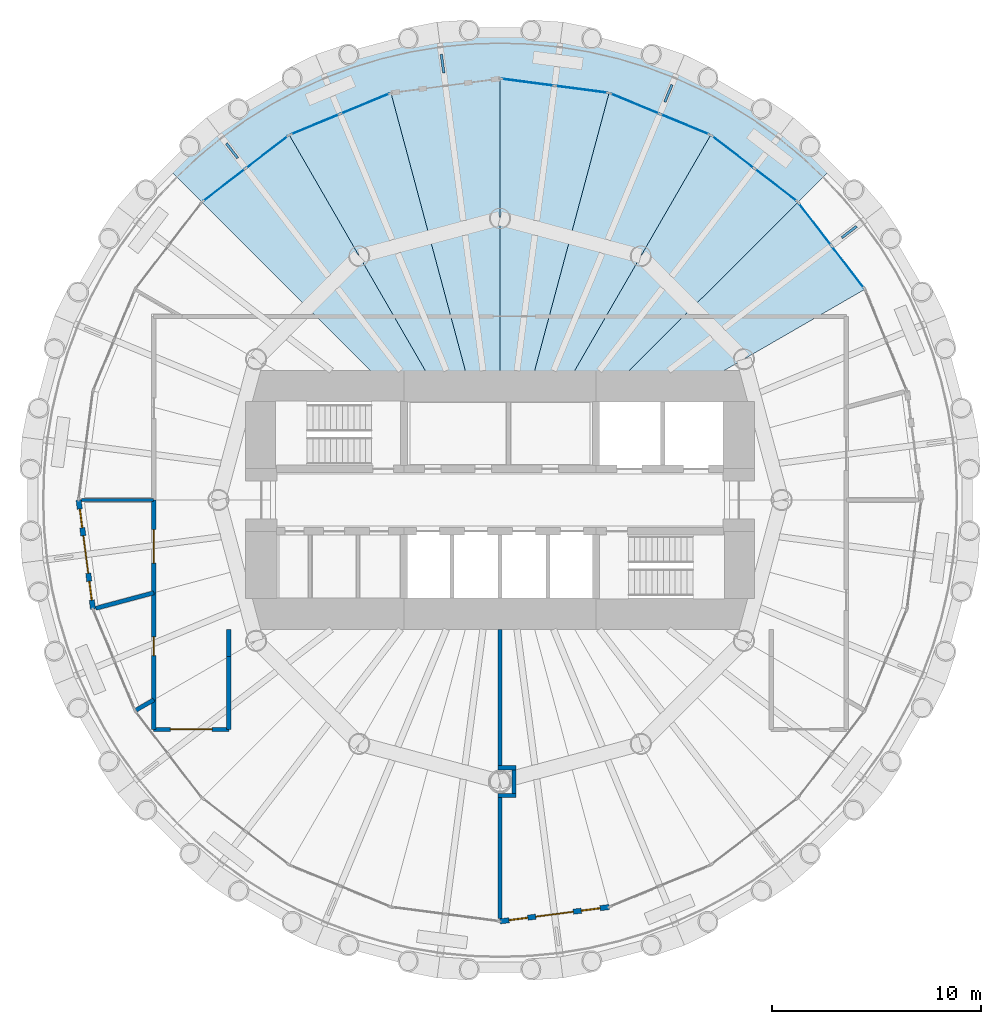
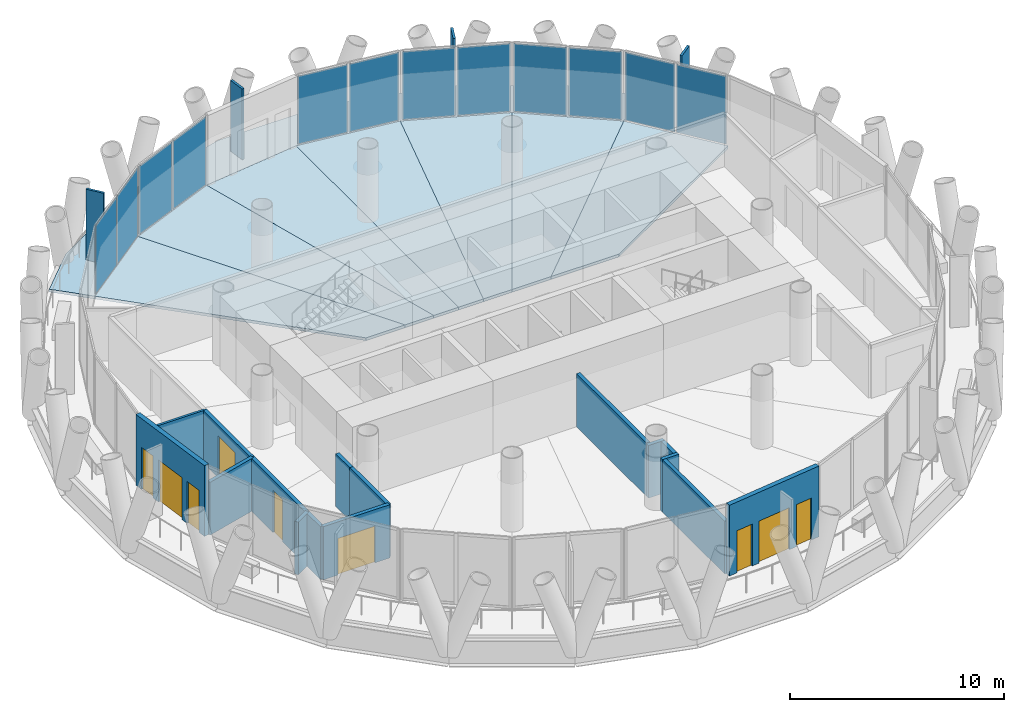
# One storey, part 8 of 13: 16 plates, 16 walls, 8 slabs, 5 doors, 4 windows, 9 openings, 6 elements without a shape of their own.
"""IFC4 building model written with IfcOpenShell, lengths in metres."""

from ifc_helpers import new_model, si_unit, direction, frame, frame_2d, origin, origin_2d, place, context, subcontext, project, spatial, polyline, rectangle, outline, extrude, material, layer, layer_set, type_object, element, fill, aggregate, save


model = new_model("IFC4")

# Units and contexts
model_context = context("Model", 3, precision=1e-05, world=origin(), true_north=direction((0.0, 1.0)))
body_context = subcontext(model_context, "Body", "Model", "MODEL_VIEW")
ifc_project = project(units=[si_unit("LENGTHUNIT", "METRE"), si_unit("AREAUNIT", "SQUARE_METRE"), si_unit("VOLUMEUNIT", "CUBIC_METRE"), si_unit("PLANEANGLEUNIT", "RADIAN"), si_unit("MASSUNIT", "GRAM", prefix="KILO")], contexts=[model_context])

# Site, building, storey
site_placement = place(None, origin())
site = spatial("IfcSite", under=ifc_project, at=site_placement, CompositionType="ELEMENT")
building_placement = place(site_placement, origin())
building = spatial("IfcBuilding", under=site, at=building_placement, Name="Qaws Media Tower", CompositionType="ELEMENT")
storey_placement = place(building_placement, frame((0.0, 0.0, 219.199951171875)))
storey = spatial("IfcBuildingStorey", under=building, at=storey_placement, Name="L50", CompositionType="ELEMENT", Elevation=219.199951171875)

# Slabs
ifc_material_1 = material(Name="Concrete C35/45", Category="concrete")
ifc_layer_1 = layer(ifc_material_1, 0.159912109375)
ifc_layer_set_1 = layer_set([ifc_layer_1], Name="Composite balcony slab 160")
slab_type_1 = type_object("IfcSlabType", Name="Composite balcony slab 160", PredefinedType="FLOOR", material=ifc_layer_set_1)
slab_1_placement = place(storey_placement, frame((0.0, 0.0, -0.159912109375)))
element("IfcSlab", 1, at=slab_1_placement, inside=storey, type_object=slab_type_1, Name="S2 balcony slab L50 R04 to R10, movement joints on R04 and R10", PredefinedType="FLOOR", context=body_context, shape_type="SweptSolid", body=[
    extrude(outline(polyline([(46.241943359375, 67.9296875), (51.351318359375, 70.879638671875), (57.050048828125, 72.40673828125), (62.949951171875, 72.40673828125), (68.648681640625, 70.879638671875), (73.758056640625, 67.9296875), (75.843994140625, 65.843994140625), (74.28369140625, 64.28369140625), (70.10009765625, 67.49365234375), (65.22802734375, 69.51171875), (60.0, 70.199951171875), (54.77197265625, 69.51171875), (49.89990234375, 67.49365234375), (45.71630859375, 64.28369140625), (44.156005859375, 65.843994140625), (46.241943359375, 67.9296875)])), origin(), (0.0, 0.0, 1.0), 0.159912109375),
])
ifc_material_2 = material(Name="Concrete C35/45", Category="concrete")
ifc_layer_2 = layer(ifc_material_2, 0.159912109375)
ifc_layer_set_2 = layer_set([ifc_layer_2], Name="Composite floor slab 160")
slab_type_2 = type_object("IfcSlabType", Name="Composite floor slab 160", PredefinedType="FLOOR", material=ifc_layer_set_2)
slab_2_placement = place(storey_placement, frame((0.0, 0.0, -0.159912109375)))
element("IfcSlab", 2, at=slab_2_placement, inside=storey, type_object=slab_type_2, Name="S1 floor panel L50 on R03+7.5", PredefinedType="FLOOR", context=body_context, shape_type="SweptSolid", body=[
    extrude(outline(polyline([(77.49365234375, 60.10009765625), (68.660400390625, 55.0), (65.0, 55.0), (74.28369140625, 64.28369140625), (77.49365234375, 60.10009765625)])), origin(), (0.0, 0.0, 1.0), 0.159912109375),
])
slab_3_placement = place(storey_placement, frame((0.0, 0.0, -0.159912109375)))
element("IfcSlab", 3, at=slab_3_placement, inside=storey, type_object=slab_type_2, Name="S1 floor panel L50 on R04+7.5", PredefinedType="FLOOR", context=body_context, shape_type="SweptSolid", body=[
    extrude(outline(polyline([(70.10009765625, 67.49365234375), (74.28369140625, 64.28369140625), (65.0, 55.0), (62.88671875, 55.0), (70.10009765625, 67.49365234375)])), origin(), (0.0, 0.0, 1.0), 0.159912109375),
])
slab_4_placement = place(storey_placement, frame((0.0, 0.0, -0.159912109375)))
element("IfcSlab", 4, at=slab_4_placement, inside=storey, type_object=slab_type_2, Name="S1 floor panel L50 on R05+7.5", PredefinedType="FLOOR", context=body_context, shape_type="SweptSolid", body=[
    extrude(outline(polyline([(65.22802734375, 69.51171875), (70.10009765625, 67.49365234375), (62.88671875, 55.0), (61.339599609375, 55.0), (65.22802734375, 69.51171875)])), origin(), (0.0, 0.0, 1.0), 0.159912109375),
])
slab_5_placement = place(storey_placement, frame((0.0, 0.0, -0.159912109375)))
element("IfcSlab", 5, at=slab_5_placement, inside=storey, type_object=slab_type_2, Name="S1 floor panel L50 on R06+7.5", PredefinedType="FLOOR", context=body_context, shape_type="SweptSolid", body=[
    extrude(outline(polyline([(65.22802734375, 69.51171875), (61.339599609375, 55.0), (60.0, 55.0), (60.0, 70.199951171875), (65.22802734375, 69.51171875)])), origin(), (0.0, 0.0, 1.0), 0.159912109375),
])
slab_6_placement = place(storey_placement, frame((0.0, 0.0, -0.159912109375)))
element("IfcSlab", 6, at=slab_6_placement, inside=storey, type_object=slab_type_2, Name="S1 floor panel L50 on R07+7.5", PredefinedType="FLOOR", context=body_context, shape_type="SweptSolid", body=[
    extrude(outline(polyline([(60.0, 70.199951171875), (60.0, 55.0), (58.660400390625, 55.0), (54.77197265625, 69.51171875), (60.0, 70.199951171875)])), origin(), (0.0, 0.0, 1.0), 0.159912109375),
])
slab_7_placement = place(storey_placement, frame((0.0, 0.0, -0.159912109375)))
element("IfcSlab", 7, at=slab_7_placement, inside=storey, type_object=slab_type_2, Name="S1 floor panel L50 on R08+7.5", PredefinedType="FLOOR", context=body_context, shape_type="SweptSolid", body=[
    extrude(outline(polyline([(49.89990234375, 67.49365234375), (54.77197265625, 69.51171875), (58.660400390625, 55.0), (57.11328125, 55.0), (49.89990234375, 67.49365234375)])), origin(), (0.0, 0.0, 1.0), 0.159912109375),
])
slab_8_placement = place(storey_placement, frame((0.0, 0.0, -0.159912109375)))
element("IfcSlab", 8, at=slab_8_placement, inside=storey, type_object=slab_type_2, Name="S1 floor panel L50 on R09+7.5", PredefinedType="FLOOR", context=body_context, shape_type="SweptSolid", body=[
    extrude(outline(polyline([(45.71630859375, 64.28369140625), (49.89990234375, 67.49365234375), (57.11328125, 55.0), (55.0, 55.0), (45.71630859375, 64.28369140625)])), origin(), (0.0, 0.0, 1.0), 0.159912109375),
])

# Curtain wall, plates
ifc_material_3 = material(Name="Aluminium and clear glass", Category="aluminium")
curtain_wall_type = type_object("IfcCurtainWallType", Name="Unitised curtain wall CW-C", PredefinedType="NOTDEFINED", material=ifc_material_3)
curtain_wall_1_placement = place(storey_placement, origin())
curtain_wall_1 = element("IfcCurtainWall", 9, at=curtain_wall_1_placement, inside=storey, type_object=curtain_wall_type, Name="CWC curtain wall L50-03", PredefinedType="NOTDEFINED")
ifc_material_4 = material(Name="Clear laminated double glazing", Category="glass")
ifc_layer_3 = layer(ifc_material_4, 0.031982421875)
ifc_layer_set_3 = layer_set([ifc_layer_3], Name="Curtain wall glass unit 32")
plate_type_1 = type_object("IfcPlateType", Name="Curtain wall glass unit 32", PredefinedType="CURTAIN_PANEL", material=ifc_layer_set_3)
plate_1_placement = place(storey_placement, frame((76.678955078125, 61.161865234375, 0.080078125), z_axis=(0.0, 0.0, 1.0), x_axis=(-0.608761406106, 0.793353357865, 0.0)))
plate_1 = element("IfcPlate", 10, at=plate_1_placement, type_object=plate_type_1, Name="CWC panel 1.1", PredefinedType="CURTAIN_PANEL", context=body_context, shape_type="SweptSolid", body=[
    extrude(rectangle(XDim=2.5166015625, YDim=0.031982421875, at=origin_2d()), origin(), (0.0, 0.0, 1.0), 3.8798828125),
])
plate_2_placement = place(storey_placement, frame((75.098388671875, 63.2216796875, 0.080078125), z_axis=(0.0, 0.0, 1.0), x_axis=(-0.608761406106, 0.793353357865, 0.0)))
plate_2 = element("IfcPlate", 11, at=plate_2_placement, type_object=plate_type_1, Name="CWC panel 2.1", PredefinedType="CURTAIN_PANEL", context=body_context, shape_type="SweptSolid", body=[
    extrude(rectangle(XDim=2.5166015625, YDim=0.031982421875, at=origin_2d()), origin(), (0.0, 0.0, 1.0), 3.8798828125),
])
aggregate(curtain_wall_1, [plate_1, plate_2])

curtain_wall_2_placement = place(storey_placement, origin())
curtain_wall_2 = element("IfcCurtainWall", 12, at=curtain_wall_2_placement, inside=storey, type_object=curtain_wall_type, Name="CWC curtain wall L50-04", PredefinedType="NOTDEFINED")
plate_3_placement = place(storey_placement, frame((73.2216796875, 65.098388671875, 0.080078125), z_axis=(0.0, 0.0, 1.0), x_axis=(-0.793353357865, 0.608761406106, 0.0)))
plate_3 = element("IfcPlate", 13, at=plate_3_placement, type_object=plate_type_1, Name="CWC panel 1.1", PredefinedType="CURTAIN_PANEL", context=body_context, shape_type="SweptSolid", body=[
    extrude(rectangle(XDim=2.5166015625, YDim=0.031982421875, at=origin_2d()), origin(), (0.0, 0.0, 1.0), 3.8798828125),
])
plate_4_placement = place(storey_placement, frame((71.161865234375, 66.678955078125, 0.080078125), z_axis=(0.0, 0.0, 1.0), x_axis=(-0.793353357865, 0.608761406106, 0.0)))
plate_4 = element("IfcPlate", 14, at=plate_4_placement, type_object=plate_type_1, Name="CWC panel 2.1", PredefinedType="CURTAIN_PANEL", context=body_context, shape_type="SweptSolid", body=[
    extrude(rectangle(XDim=2.5166015625, YDim=0.031982421875, at=origin_2d()), origin(), (0.0, 0.0, 1.0), 3.8798828125),
])
aggregate(curtain_wall_2, [plate_3, plate_4])

curtain_wall_3_placement = place(storey_placement, origin())
curtain_wall_3 = element("IfcCurtainWall", 15, at=curtain_wall_3_placement, inside=storey, type_object=curtain_wall_type, Name="CWC curtain wall L50-05", PredefinedType="NOTDEFINED")
plate_5_placement = place(storey_placement, frame((68.863525390625, 68.005859375, 0.080078125), z_axis=(0.0, 0.0, 1.0), x_axis=(-0.923879493285, 0.382683527066, 0.0)))
plate_5 = element("IfcPlate", 16, at=plate_5_placement, type_object=plate_type_1, Name="CWC panel 1.1", PredefinedType="CURTAIN_PANEL", context=body_context, shape_type="SweptSolid", body=[
    extrude(rectangle(XDim=2.5166015625, YDim=0.031982421875, at=origin_2d()), origin(), (0.0, 0.0, 1.0), 3.8798828125),
])
plate_6_placement = place(storey_placement, frame((66.464599609375, 68.99951171875, 0.080078125), z_axis=(0.0, 0.0, 1.0), x_axis=(-0.923879493285, 0.382683527066, 0.0)))
plate_6 = element("IfcPlate", 17, at=plate_6_placement, type_object=plate_type_1, Name="CWC panel 2.1", PredefinedType="CURTAIN_PANEL", context=body_context, shape_type="SweptSolid", body=[
    extrude(rectangle(XDim=2.5166015625, YDim=0.031982421875, at=origin_2d()), origin(), (0.0, 0.0, 1.0), 3.8798828125),
])
aggregate(curtain_wall_3, [plate_5, plate_6])

curtain_wall_4_placement = place(storey_placement, origin())
curtain_wall_4 = element("IfcCurtainWall", 18, at=curtain_wall_4_placement, inside=storey, type_object=curtain_wall_type, Name="CWC curtain wall L50-06", PredefinedType="NOTDEFINED")
plate_7_placement = place(storey_placement, frame((63.9013671875, 69.686279296875, 0.080078125), z_axis=(0.0, 0.0, 1.0), x_axis=(-0.991444869889, 0.130526127538, 0.0)))
plate_7 = element("IfcPlate", 19, at=plate_7_placement, type_object=plate_type_1, Name="CWC panel 1.1", PredefinedType="CURTAIN_PANEL", context=body_context, shape_type="SweptSolid", body=[
    extrude(rectangle(XDim=2.5166015625, YDim=0.031982421875, at=origin_2d()), origin(), (0.0, 0.0, 1.0), 3.8798828125),
])
plate_8_placement = place(storey_placement, frame((61.326904296875, 70.025390625, 0.080078125), z_axis=(0.0, 0.0, 1.0), x_axis=(-0.991444869889, 0.130526127538, 0.0)))
plate_8 = element("IfcPlate", 20, at=plate_8_placement, type_object=plate_type_1, Name="CWC panel 2.1", PredefinedType="CURTAIN_PANEL", context=body_context, shape_type="SweptSolid", body=[
    extrude(rectangle(XDim=2.5166015625, YDim=0.031982421875, at=origin_2d()), origin(), (0.0, 0.0, 1.0), 3.8798828125),
])
aggregate(curtain_wall_4, [plate_7, plate_8])

curtain_wall_5_placement = place(storey_placement, origin())
curtain_wall_5 = element("IfcCurtainWall", 21, at=curtain_wall_5_placement, inside=storey, type_object=curtain_wall_type, Name="CWC curtain wall L50-08", PredefinedType="NOTDEFINED")
plate_9_placement = place(storey_placement, frame((53.535400390625, 68.99951171875, 0.080078125), z_axis=(0.0, 0.0, 1.0), x_axis=(-0.923879493285, -0.382683527066, 0.0)))
plate_9 = element("IfcPlate", 22, at=plate_9_placement, type_object=plate_type_1, Name="CWC panel 1.1", PredefinedType="CURTAIN_PANEL", context=body_context, shape_type="SweptSolid", body=[
    extrude(rectangle(XDim=2.5166015625, YDim=0.031982421875, at=origin_2d()), origin(), (0.0, 0.0, 1.0), 3.8798828125),
])
plate_10_placement = place(storey_placement, frame((51.136474609375, 68.005859375, 0.080078125), z_axis=(0.0, 0.0, 1.0), x_axis=(-0.923879493285, -0.382683527066, 0.0)))
plate_10 = element("IfcPlate", 23, at=plate_10_placement, type_object=plate_type_1, Name="CWC panel 2.1", PredefinedType="CURTAIN_PANEL", context=body_context, shape_type="SweptSolid", body=[
    extrude(rectangle(XDim=2.5166015625, YDim=0.031982421875, at=origin_2d()), origin(), (0.0, 0.0, 1.0), 3.8798828125),
])
aggregate(curtain_wall_5, [plate_9, plate_10])

curtain_wall_6_placement = place(storey_placement, origin())
curtain_wall_6 = element("IfcCurtainWall", 24, at=curtain_wall_6_placement, inside=storey, type_object=curtain_wall_type, Name="CWC curtain wall L50-09", PredefinedType="NOTDEFINED")
plate_11_placement = place(storey_placement, frame((48.838134765625, 66.678955078125, 0.080078125), z_axis=(0.0, 0.0, 1.0), x_axis=(-0.793353357865, -0.608761406106, 0.0)))
plate_11 = element("IfcPlate", 25, at=plate_11_placement, type_object=plate_type_1, Name="CWC panel 1.1", PredefinedType="CURTAIN_PANEL", context=body_context, shape_type="SweptSolid", body=[
    extrude(rectangle(XDim=2.5166015625, YDim=0.031982421875, at=origin_2d()), origin(), (0.0, 0.0, 1.0), 3.8798828125),
])
plate_12_placement = place(storey_placement, frame((46.7783203125, 65.098388671875, 0.080078125), z_axis=(0.0, 0.0, 1.0), x_axis=(-0.793353357865, -0.608761406106, 0.0)))
plate_12 = element("IfcPlate", 26, at=plate_12_placement, type_object=plate_type_1, Name="CWC panel 2.1", PredefinedType="CURTAIN_PANEL", context=body_context, shape_type="SweptSolid", body=[
    extrude(rectangle(XDim=2.5166015625, YDim=0.031982421875, at=origin_2d()), origin(), (0.0, 0.0, 1.0), 3.8798828125),
])
aggregate(curtain_wall_6, [plate_11, plate_12])

# Plates
ifc_material_5 = material(Name="Precast concrete screen fin", Category="concrete")
ifc_layer_4 = layer(ifc_material_5, 0.1201171875)
ifc_layer_set_4 = layer_set([ifc_layer_4], Name="Screen fin 120x900")
plate_type_2 = type_object("IfcPlateType", Name="Screen fin 120x900", PredefinedType="USERDEFINED", material=ifc_layer_set_4)
for number, where, z_axis, x_axis, name in (
    (27, (76.73974609375, 62.844970703125, 0.0), (0.0, 0.0, 1.0), (0.793353340291, 0.608761429009, 0.0), "SCR1 screen fin L50-02"),
    (28, (68.07470703125, 69.493896484375, 0.0), (0.0, 0.0, 1.0), (0.382683432365, 0.923879532511, 0.0), "SCR1 screen fin L50-03"),
    (29, (57.245849609375, 70.91943359375, 0.0), (0.0, 0.0, 1.0), (-0.13052619222, 0.991444861374, 0.0), "SCR1 screen fin L50-04"),
    (30, (47.155029296875, 66.73974609375, 0.0), (0.0, 0.0, 1.0), (-0.608761429009, 0.793353340291, 0.0), "SCR1 screen fin L50-05"),
):
    element("IfcPlate", number, at=place(storey_placement, frame(where, z_axis=z_axis, x_axis=x_axis)), inside=storey, type_object=plate_type_2, Name=name, ObjectType="SCREEN", PredefinedType="USERDEFINED", context=body_context, shape_type="SweptSolid", body=[
        extrude(rectangle(XDim=0.89990234375, YDim=0.1201171875, at=origin_2d()), origin(), (0.0, 0.0, 1.0), 4.0400390625),
    ])

# Wall, openings, door, windows
ifc_material_6 = material(Name="Precast concrete, exposed finish", Category="concrete")
ifc_layer_5 = layer(ifc_material_6, 0.25)
ifc_layer_set_5 = layer_set([ifc_layer_5], Name="Balcony door wall 250")
wall_type_1 = type_object("IfcWallType", Name="Balcony door wall 250", PredefinedType="SOLIDWALL", material=ifc_layer_set_5)
wall_1_placement = place(storey_placement, frame((39.800048828125, 50.0, 0.0), z_axis=(0.0, 0.0, 1.0), x_axis=(0.130516790572, -0.991446099079, 0.0)))
wall_1 = element("IfcWall", 31, at=wall_1_placement, inside=storey, type_object=wall_type_1, Name="W236 EW1 balcony door wall L50-13", PredefinedType="SOLIDWALL", context=body_context, shape_type="SweptSolid", body=[
    extrude(rectangle(XDim=5.273193359375, YDim=0.25, at=frame_2d((2.63671875, 0.0))), origin(), (0.0, 0.0, 1.0), 4.0400390625),
])
opening_1_placement = place(wall_1_placement, frame((1.736572265625, 0.0, 0.0)))
opening_1 = element("IfcOpeningElement", 32, at=opening_1_placement, cuts=wall_1, Name="Opening D7", PredefinedType="OPENING", context=body_context, shape_type="SweptSolid", body=[
    extrude(rectangle(XDim=1.800048828125, YDim=2.39990234375, at=frame_2d((0.89990234375, 1.199951171875))), frame((0.0, 0.135009765625, 0.0), z_axis=(0.0, -1.0, 0.0), x_axis=(1.0, 0.0, 0.0)), (0.0, 0.0, 1.0), 0.27001953125),
])
opening_2_placement = place(wall_1_placement, frame((0.4365234375, 0.0, 0.0)))
opening_2 = element("IfcOpeningElement", 33, at=opening_2_placement, cuts=wall_1, Name="Opening W7", PredefinedType="OPENING", context=body_context, shape_type="SweptSolid", body=[
    extrude(rectangle(XDim=0.89990234375, YDim=2.39990234375, at=frame_2d((0.449951171875, 1.199951171875))), frame((0.0, 0.135009765625, 0.0), z_axis=(0.0, -1.0, 0.0), x_axis=(1.0, 0.0, 0.0)), (0.0, 0.0, 1.0), 0.27001953125),
])
opening_3_placement = place(wall_1_placement, frame((3.9365234375, 0.0, 0.0)))
opening_3 = element("IfcOpeningElement", 34, at=opening_3_placement, cuts=wall_1, Name="Opening W7", PredefinedType="OPENING", context=body_context, shape_type="SweptSolid", body=[
    extrude(rectangle(XDim=0.89990234375, YDim=2.39990234375, at=frame_2d((0.449951171875, 1.199951171875))), frame((0.0, 0.135009765625, 0.0), z_axis=(0.0, -1.0, 0.0), x_axis=(1.0, 0.0, 0.0)), (0.0, 0.0, 1.0), 0.27001953125),
])
ifc_material_7 = material(Name="Aluminium and clear glass", Category="aluminium")
door_type_1 = type_object("IfcDoorType", Name="Balcony door pair 1800", OperationType="DOUBLE_DOOR_SLIDING", PredefinedType="DOOR", material=ifc_material_7)
door_1_placement = place(opening_1_placement, origin())
door_1 = element("IfcDoor", 35, at=door_1_placement, inside=storey, type_object=door_type_1, Name="D7 balcony door L50-13 in wall W236", OperationType="DOUBLE_DOOR_SLIDING", OverallHeight=2.39990234375, OverallWidth=1.800048828125, PredefinedType="DOOR", context=body_context, shape_type="SweptSolid", body=[
    extrude(rectangle(XDim=1.800048828125, YDim=2.39990234375, at=frame_2d((0.89990234375, 1.199951171875))), frame((0.0, 0.02490234375, 0.0), z_axis=(0.0, -1.0, 0.0), x_axis=(1.0, 0.0, 0.0)), (0.0, 0.0, 1.0), 0.050048828125),
])
fill(opening_1, door_1)
ifc_material_8 = material(Name="Aluminium and clear glass", Category="aluminium")
window_type = type_object("IfcWindowType", Name="Balcony side window 900", PartitioningType="SINGLE_PANEL", PredefinedType="WINDOW", material=ifc_material_8)
window_1_placement = place(opening_2_placement, origin())
window_1 = element("IfcWindow", 36, at=window_1_placement, inside=storey, type_object=window_type, Name="W1 balcony side light L50-13L", OverallHeight=2.39990234375, OverallWidth=0.89990234375, PartitioningType="SINGLE_PANEL", PredefinedType="WINDOW", context=body_context, shape_type="SweptSolid", body=[
    extrude(rectangle(XDim=0.89990234375, YDim=2.39990234375, at=frame_2d((0.449951171875, 1.199951171875))), frame((0.0, 0.030029296875, 0.0), z_axis=(0.0, -1.0, 0.0), x_axis=(1.0, 0.0, 0.0)), (0.0, 0.0, 1.0), 0.06005859375),
])
fill(opening_2, window_1)
window_2_placement = place(opening_3_placement, origin())
window_2 = element("IfcWindow", 37, at=window_2_placement, inside=storey, type_object=window_type, Name="W1 balcony side light L50-13R", OverallHeight=2.39990234375, OverallWidth=0.89990234375, PartitioningType="SINGLE_PANEL", PredefinedType="WINDOW", context=body_context, shape_type="SweptSolid", body=[
    extrude(rectangle(XDim=0.89990234375, YDim=2.39990234375, at=frame_2d((0.449951171875, 1.199951171875))), frame((0.0, 0.030029296875, 0.0), z_axis=(0.0, -1.0, 0.0), x_axis=(1.0, 0.0, 0.0)), (0.0, 0.0, 1.0), 0.06005859375),
])
fill(opening_3, window_2)

wall_2_placement = place(storey_placement, frame((60.0, 29.800048828125, 0.0), z_axis=(0.0, 0.0, 1.0), x_axis=(0.991446099079, 0.130516790572, 0.0)))
wall_2 = element("IfcWall", 38, at=wall_2_placement, inside=storey, type_object=wall_type_1, Name="W237 EW1 balcony door wall L50-19", PredefinedType="SOLIDWALL", context=body_context, shape_type="SweptSolid", body=[
    extrude(rectangle(XDim=5.273193359375, YDim=0.25, at=frame_2d((2.63671875, 0.0))), origin(), (0.0, 0.0, 1.0), 4.0400390625),
])
opening_4_placement = place(wall_2_placement, frame((1.736572265625, 0.0, 0.0)))
opening_4 = element("IfcOpeningElement", 39, at=opening_4_placement, cuts=wall_2, Name="Opening D7", PredefinedType="OPENING", context=body_context, shape_type="SweptSolid", body=[
    extrude(rectangle(XDim=1.800048828125, YDim=2.39990234375, at=frame_2d((0.89990234375, 1.199951171875))), frame((0.0, 0.135009765625, 0.0), z_axis=(0.0, -1.0, 0.0), x_axis=(1.0, 0.0, 0.0)), (0.0, 0.0, 1.0), 0.27001953125),
])
opening_5_placement = place(wall_2_placement, frame((0.4365234375, 0.0, 0.0)))
opening_5 = element("IfcOpeningElement", 40, at=opening_5_placement, cuts=wall_2, Name="Opening W7", PredefinedType="OPENING", context=body_context, shape_type="SweptSolid", body=[
    extrude(rectangle(XDim=0.89990234375, YDim=2.39990234375, at=frame_2d((0.449951171875, 1.199951171875))), frame((0.0, 0.135009765625, 0.0), z_axis=(0.0, -1.0, 0.0), x_axis=(1.0, 0.0, 0.0)), (0.0, 0.0, 1.0), 0.27001953125),
])
opening_6_placement = place(wall_2_placement, frame((3.9365234375, 0.0, 0.0)))
opening_6 = element("IfcOpeningElement", 41, at=opening_6_placement, cuts=wall_2, Name="Opening W7", PredefinedType="OPENING", context=body_context, shape_type="SweptSolid", body=[
    extrude(rectangle(XDim=0.89990234375, YDim=2.39990234375, at=frame_2d((0.449951171875, 1.199951171875))), frame((0.0, 0.135009765625, 0.0), z_axis=(0.0, -1.0, 0.0), x_axis=(1.0, 0.0, 0.0)), (0.0, 0.0, 1.0), 0.27001953125),
])
door_2_placement = place(opening_4_placement, origin())
door_2 = element("IfcDoor", 42, at=door_2_placement, inside=storey, type_object=door_type_1, Name="D7 balcony door L50-19 in wall W237", OperationType="DOUBLE_DOOR_SLIDING", OverallHeight=2.39990234375, OverallWidth=1.800048828125, PredefinedType="DOOR", context=body_context, shape_type="SweptSolid", body=[
    extrude(rectangle(XDim=1.800048828125, YDim=2.39990234375, at=frame_2d((0.89990234375, 1.199951171875))), frame((0.0, 0.02490234375, 0.0), z_axis=(0.0, -1.0, 0.0), x_axis=(1.0, 0.0, 0.0)), (0.0, 0.0, 1.0), 0.050048828125),
])
fill(opening_4, door_2)
window_3_placement = place(opening_5_placement, origin())
window_3 = element("IfcWindow", 43, at=window_3_placement, inside=storey, type_object=window_type, Name="W1 balcony side light L50-19L", OverallHeight=2.39990234375, OverallWidth=0.89990234375, PartitioningType="SINGLE_PANEL", PredefinedType="WINDOW", context=body_context, shape_type="SweptSolid", body=[
    extrude(rectangle(XDim=0.89990234375, YDim=2.39990234375, at=frame_2d((0.449951171875, 1.199951171875))), frame((0.0, 0.030029296875, 0.0), z_axis=(0.0, -1.0, 0.0), x_axis=(1.0, 0.0, 0.0)), (0.0, 0.0, 1.0), 0.06005859375),
])
fill(opening_5, window_3)
window_4_placement = place(opening_6_placement, origin())
window_4 = element("IfcWindow", 44, at=window_4_placement, inside=storey, type_object=window_type, Name="W1 balcony side light L50-19R", OverallHeight=2.39990234375, OverallWidth=0.89990234375, PartitioningType="SINGLE_PANEL", PredefinedType="WINDOW", context=body_context, shape_type="SweptSolid", body=[
    extrude(rectangle(XDim=0.89990234375, YDim=2.39990234375, at=frame_2d((0.449951171875, 1.199951171875))), frame((0.0, 0.030029296875, 0.0), z_axis=(0.0, -1.0, 0.0), x_axis=(1.0, 0.0, 0.0)), (0.0, 0.0, 1.0), 0.06005859375),
])
fill(opening_6, window_4)

# Walls
ifc_material_9 = material(Name="Two layers gypsum board each side on 75 studs, insulated", Category="gypsum")
ifc_layer_6 = layer(ifc_material_9, 0.125)
ifc_layer_set_6 = layer_set([ifc_layer_6], Name="Meeting room partition 125 Rw 48")
wall_type_2 = type_object("IfcWallType", Name="Meeting room partition 125 Rw 48", PredefinedType="PARTITIONING", material=ifc_layer_set_6)
wall_3_placement = place(storey_placement, frame((43.39990234375, 50.0, 0.0), z_axis=(0.0, 0.0, 1.0), x_axis=(-1.0, 0.0, 0.0)))
element("IfcWall", 45, at=wall_3_placement, inside=storey, type_object=wall_type_2, Name="W603 IW5 partition L50", PredefinedType="PARTITIONING", context=body_context, shape_type="SweptSolid", body=[
    extrude(rectangle(XDim=3.4599609375, YDim=0.125, at=frame_2d((1.72998046875, 0.0))), origin(), (0.0, 0.0, 1.0), 3.011962890625),
])
ifc_material_10 = material(Name="Gypsum board on galvanised metal studs, acoustic double stud, deflection head", Category="gypsum")
ifc_layer_7 = layer(ifc_material_10, 0.199951171875)
ifc_layer_set_7 = layer_set([ifc_layer_7], Name="Room partition 200")
wall_type_3 = type_object("IfcWallType", Name="Room partition 200", PredefinedType="PARTITIONING", material=ifc_layer_set_7)
wall_4_placement = place(storey_placement, frame((47.0, 43.800048828125, 0.0), z_axis=(0.0, 0.0, 1.0), x_axis=(0.0, -1.0, 0.0)))
element("IfcWall", 46, at=wall_4_placement, inside=storey, type_object=wall_type_3, Name="W1528 IW3 partition L50", PredefinedType="PARTITIONING", context=body_context, shape_type="SweptSolid", body=[
    extrude(rectangle(XDim=1.3056640625, YDim=0.199951171875, at=frame_2d((0.65283203125, 0.0))), origin(), (0.0, 0.0, 1.0), 3.011962890625),
])
wall_5_placement = place(storey_placement, frame((47.0, 42.494384765625, 0.0), z_axis=(0.0, 0.0, 1.0), x_axis=(0.0, -1.0, 0.0)))
element("IfcWall", 47, at=wall_5_placement, inside=storey, type_object=wall_type_3, Name="W1366 IW3 partition L50", PredefinedType="PARTITIONING", context=body_context, shape_type="SweptSolid", body=[
    extrude(rectangle(XDim=3.494384765625, YDim=0.199951171875, at=frame_2d((1.7470703125, 0.0))), origin(), (0.0, 0.0, 1.0), 3.011962890625),
])

# Wall, opening, door
wall_6_placement = place(storey_placement, frame((47.0, 39.0, 0.0), z_axis=(0.0, 0.0, 1.0), x_axis=(-1.0, 0.0, 0.0)))
wall_6 = element("IfcWall", 48, at=wall_6_placement, inside=storey, type_object=wall_type_3, Name="W1253 IW3 partition L50", PredefinedType="PARTITIONING", context=body_context, shape_type="SweptSolid", body=[
    extrude(rectangle(XDim=3.60009765625, YDim=0.199951171875, at=frame_2d((1.800048828125, 0.0))), origin(), (0.0, 0.0, 1.0), 3.0400390625),
])
opening_7_placement = place(wall_6_placement, frame((0.800048828125, 0.0, 0.0)))
opening_7 = element("IfcOpeningElement", 49, at=opening_7_placement, cuts=wall_6, Name="Opening D6", PredefinedType="OPENING", context=body_context, shape_type="SweptSolid", body=[
    extrude(rectangle(XDim=2.0, YDim=2.10009765625, at=frame_2d((1.0, 1.050048828125))), frame((0.0, 0.10986328125, 0.0), z_axis=(0.0, -1.0, 0.0), x_axis=(1.0, 0.0, 0.0)), (0.0, 0.0, 1.0), 0.219970703125),
])
ifc_material_11 = material(Name="Steel, acoustic, fire rated", Category="steel")
door_type_2 = type_object("IfcDoorType", Name="Room door pair 2000", OperationType="DOUBLE_DOOR_DOUBLE_SWING", PredefinedType="DOOR", material=ifc_material_11)
door_3_placement = place(opening_7_placement, origin())
door_3 = element("IfcDoor", 50, at=door_3_placement, inside=storey, type_object=door_type_2, Name="D6 Tenant office door L50 in wall W1253", OperationType="DOUBLE_DOOR_DOUBLE_SWING", OverallHeight=2.10009765625, OverallWidth=2.0, PredefinedType="DOOR", context=body_context, shape_type="SweptSolid", body=[
    extrude(rectangle(XDim=2.0, YDim=2.10009765625, at=frame_2d((1.0, 1.050048828125))), frame((0.0, 0.02490234375, 0.0), z_axis=(0.0, -1.0, 0.0), x_axis=(1.0, 0.0, 0.0)), (0.0, 0.0, 1.0), 0.050048828125),
])
fill(opening_7, door_3)

# Wall
wall_7_placement = place(storey_placement, frame((43.39990234375, 39.0, 0.0), z_axis=(0.0, 0.0, 1.0), x_axis=(0.0, 1.0, 0.0)))
element("IfcWall", 51, at=wall_7_placement, inside=storey, type_object=wall_type_3, Name="W1386 IW3 partition L50", PredefinedType="PARTITIONING", context=body_context, shape_type="SweptSolid", body=[
    extrude(rectangle(XDim=1.416015625, YDim=0.199951171875, at=frame_2d((0.7080078125, 0.0))), origin(), (0.0, 0.0, 1.0), 3.011962890625),
])

# Wall, opening, door
wall_8_placement = place(storey_placement, frame((43.39990234375, 40.416015625, 0.0), z_axis=(0.0, 0.0, 1.0), x_axis=(0.0, 1.0, 0.0)))
wall_8 = element("IfcWall", 52, at=wall_8_placement, inside=storey, type_object=wall_type_3, Name="W1387 IW3 partition L50", PredefinedType="PARTITIONING", context=body_context, shape_type="SweptSolid", body=[
    extrude(rectangle(XDim=5.135986328125, YDim=0.199951171875, at=frame_2d((2.56787109375, 0.0))), origin(), (0.0, 0.0, 1.0), 3.011962890625),
])
opening_8_placement = place(wall_8_placement, frame((2.117919921875, 0.0, 0.0)))
opening_8 = element("IfcOpeningElement", 53, at=opening_8_placement, cuts=wall_8, Name="Opening D12", PredefinedType="OPENING", context=body_context, shape_type="SweptSolid", body=[
    extrude(rectangle(XDim=0.89990234375, YDim=2.39990234375, at=frame_2d((0.449951171875, 1.199951171875))), frame((0.0, 0.10986328125, 0.0), z_axis=(0.0, -1.0, 0.0), x_axis=(1.0, 0.0, 0.0)), (0.0, 0.0, 1.0), 0.219970703125),
])
ifc_material_12 = material(Name="Timber veneered, full height", Category="wood")
door_type_3 = type_object("IfcDoorType", Name="Office door 900x2400", OperationType="SINGLE_SWING_LEFT", PredefinedType="DOOR", material=ifc_material_12)
door_4_placement = place(opening_8_placement, origin())
door_4 = element("IfcDoor", 54, at=door_4_placement, inside=storey, type_object=door_type_3, Name="D12 Office door L50 in wall W1387", OperationType="SINGLE_SWING_LEFT", OverallHeight=2.39990234375, OverallWidth=0.89990234375, PredefinedType="DOOR", context=body_context, shape_type="SweptSolid", body=[
    extrude(rectangle(XDim=0.89990234375, YDim=2.39990234375, at=frame_2d((0.449951171875, 1.199951171875))), frame((0.0, 0.02490234375, 0.0), z_axis=(0.0, -1.0, 0.0), x_axis=(1.0, 0.0, 0.0)), (0.0, 0.0, 1.0), 0.050048828125),
])
fill(opening_8, door_4)

wall_9_placement = place(storey_placement, frame((43.39990234375, 45.552001953125, 0.0), z_axis=(0.0, 0.0, 1.0), x_axis=(0.0, 1.0, 0.0)))
wall_9 = element("IfcWall", 55, at=wall_9_placement, inside=storey, type_object=wall_type_3, Name="W1388 IW3 partition L50", PredefinedType="PARTITIONING", context=body_context, shape_type="SweptSolid", body=[
    extrude(rectangle(XDim=4.447998046875, YDim=0.199951171875, at=frame_2d((2.22412109375, 0.0))), origin(), (0.0, 0.0, 1.0), 3.011962890625),
])
opening_9_placement = place(wall_9_placement, frame((1.424072265625, 0.0, 0.0)))
opening_9 = element("IfcOpeningElement", 56, at=opening_9_placement, cuts=wall_9, Name="Opening D16", PredefinedType="OPENING", context=body_context, shape_type="SweptSolid", body=[
    extrude(rectangle(XDim=1.60009765625, YDim=2.39990234375, at=frame_2d((0.800048828125, 1.199951171875))), frame((0.0, 0.10986328125, 0.0), z_axis=(0.0, -1.0, 0.0), x_axis=(1.0, 0.0, 0.0)), (0.0, 0.0, 1.0), 0.219970703125),
])
ifc_material_13 = material(Name="Glazed aluminium, fire rated", Category="aluminium")
door_type_4 = type_object("IfcDoorType", Name="Tenant entrance door pair 1600x2400", OperationType="DOUBLE_DOOR_DOUBLE_SWING", PredefinedType="DOOR", material=ifc_material_13)
door_5_placement = place(opening_9_placement, origin())
door_5 = element("IfcDoor", 57, at=door_5_placement, inside=storey, type_object=door_type_4, Name="D16 Tenant reception door L50 in wall W1388", OperationType="DOUBLE_DOOR_DOUBLE_SWING", OverallHeight=2.39990234375, OverallWidth=1.60009765625, PredefinedType="DOOR", context=body_context, shape_type="SweptSolid", body=[
    extrude(rectangle(XDim=1.60009765625, YDim=2.39990234375, at=frame_2d((0.800048828125, 1.199951171875))), frame((0.0, 0.02490234375, 0.0), z_axis=(0.0, -1.0, 0.0), x_axis=(1.0, 0.0, 0.0)), (0.0, 0.0, 1.0), 0.050048828125),
])
fill(opening_9, door_5)

# Walls
wall_10_placement = place(storey_placement, frame((43.405517578125, 45.553466796875, 0.0), z_axis=(0.0, 0.0, 1.0), x_axis=(-0.965931782, -0.258796817064, 0.0)))
element("IfcWall", 58, at=wall_10_placement, inside=storey, type_object=wall_type_3, Name="W1583 IW3 partition L50", PredefinedType="PARTITIONING", context=body_context, shape_type="SweptSolid", body=[
    extrude(rectangle(XDim=2.880126953125, YDim=0.199951171875, at=frame_2d((1.43994140625, 0.0))), origin(), (0.0, 0.0, 1.0), 3.011962890625),
])
wall_11_placement = place(storey_placement, frame((43.406982421875, 40.419921875, 0.0), z_axis=(0.0, 0.0, 1.0), x_axis=(-0.866010750942, -0.50002537861, 0.0)))
element("IfcWall", 59, at=wall_11_placement, inside=storey, type_object=wall_type_3, Name="W1584 IW3 partition L50", PredefinedType="PARTITIONING", context=body_context, shape_type="SweptSolid", body=[
    extrude(rectangle(XDim=1.0, YDim=0.199951171875, at=frame_2d((0.5, 0.0))), origin(), (0.0, 0.0, 1.0), 3.011962890625),
])
for number, where, z_axis, x_axis, name in (
    (60, (59.89990234375, 37.16796875, 0.0), (0.0, 0.0, 1.0), (1.0, 0.0, 0.0), "W1345 IW3 partition return L50"),
    (61, (59.89990234375, 35.83203125, 0.0), (0.0, 0.0, 1.0), (1.0, 0.0, 0.0), "W1344 IW3 partition return L50"),
):
    element("IfcWall", number, at=place(storey_placement, frame(where, z_axis=z_axis, x_axis=x_axis)), inside=storey, type_object=wall_type_3, Name=name, PredefinedType="PARTITIONING", context=body_context, shape_type="SweptSolid", body=[
        extrude(rectangle(XDim=0.878173828125, YDim=0.199951171875, at=frame_2d((0.43896484375, 0.0))), origin(), (0.0, 0.0, 1.0), 3.011962890625),
    ])
wall_12_placement = place(storey_placement, frame((60.677978515625, 37.068115234375, 0.0), z_axis=(0.0, 0.0, 1.0), x_axis=(0.0, -1.0, 0.0)))
element("IfcWall", 62, at=wall_12_placement, inside=storey, type_object=wall_type_3, Name="W1350 IW3 partition return L50", PredefinedType="PARTITIONING", context=body_context, shape_type="SweptSolid", body=[
    extrude(rectangle(XDim=1.13623046875, YDim=0.199951171875, at=frame_2d((0.568115234375, 0.0))), origin(), (0.0, 0.0, 1.0), 3.011962890625),
])
wall_13_placement = place(storey_placement, frame((60.0, 43.800048828125, 0.0), z_axis=(0.0, 0.0, 1.0), x_axis=(0.0, -1.0, 0.0)))
element("IfcWall", 63, at=wall_13_placement, inside=storey, type_object=wall_type_3, Name="W1586 IW3 partition L50", PredefinedType="PARTITIONING", context=body_context, shape_type="SweptSolid", body=[
    extrude(rectangle(XDim=6.531982421875, YDim=0.199951171875, at=frame_2d((3.26611328125, 0.0))), origin(), (0.0, 0.0, 1.0), 3.0400390625),
])
wall_14_placement = place(storey_placement, frame((60.0, 35.73193359375, 0.0), z_axis=(0.0, 0.0, 1.0), x_axis=(0.0, -1.0, 0.0)))
element("IfcWall", 64, at=wall_14_placement, inside=storey, type_object=wall_type_3, Name="W1585 IW3 partition L50", PredefinedType="PARTITIONING", context=body_context, shape_type="SweptSolid", body=[
    extrude(rectangle(XDim=5.7919921875, YDim=0.199951171875, at=frame_2d((2.89599609375, 0.0))), origin(), (0.0, 0.0, 1.0), 3.011962890625),
])

save(model, "model.ifc")
